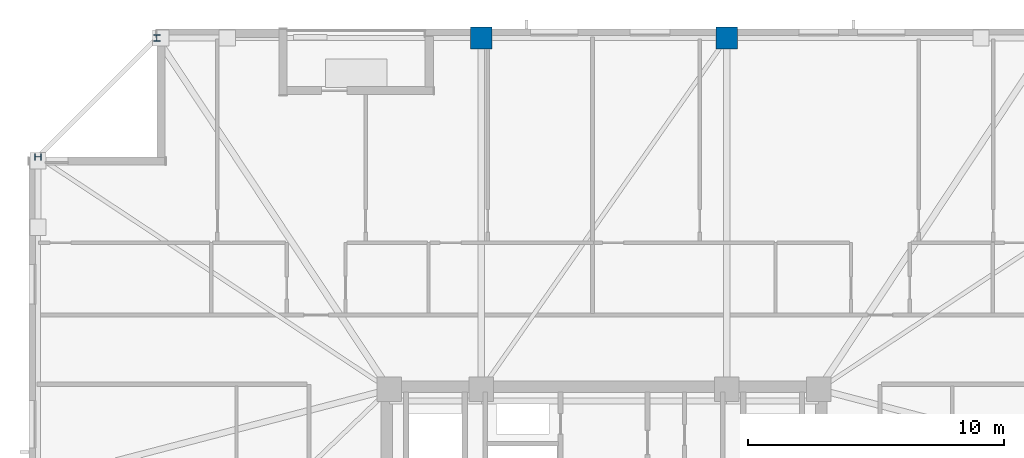
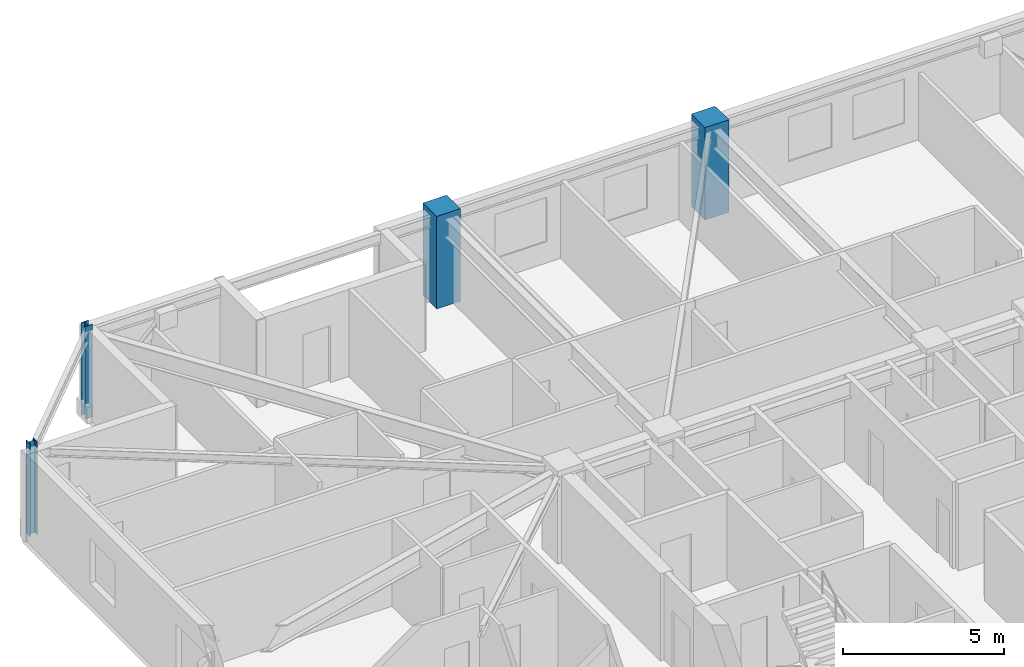
# One storey, part 4 of 17: 4 columns.
"""IFC4 building model written with IfcOpenShell, lengths in metres."""

from ifc_helpers import new_model, si_unit, direction, frame, origin, origin_2d, place, context, subcontext, project, spatial, rectangle, i_section, extrude, material, material_profile, profile_set, type_object, element, save


model = new_model("IFC4")

# Units and contexts
model_context = context("Model", 3, precision=1e-05, world=origin(), true_north=direction((0.0, 1.0)))
body_context = subcontext(model_context, "Body", "Model", "MODEL_VIEW")
ifc_project = project(units=[si_unit("LENGTHUNIT", "METRE"), si_unit("AREAUNIT", "SQUARE_METRE"), si_unit("VOLUMEUNIT", "CUBIC_METRE"), si_unit("PLANEANGLEUNIT", "RADIAN"), si_unit("MASSUNIT", "GRAM", prefix="KILO")], contexts=[model_context])

# Site, building, storey
site_placement = place(None, origin())
site = spatial("IfcSite", under=ifc_project, at=site_placement, CompositionType="ELEMENT")
building_placement = place(site_placement, origin())
building = spatial("IfcBuilding", under=site, at=building_placement, Name="Cairnveth Concourse Tower", CompositionType="ELEMENT")
storey_placement = place(building_placement, frame((0.0, 0.0, 216.5)))
storey = spatial("IfcBuildingStorey", under=building, at=storey_placement, Name="L59", CompositionType="ELEMENT", Elevation=216.5)

# Columns
ifc_material_1 = material(Name="Concrete N65 (65 MPa)", Category="concrete")
ifc_material_profile_1 = material_profile(ifc_material_1, rectangle(XDim=0.85009765625, YDim=0.85009765625, at=origin_2d()), Name="RC-COL-850x850")
ifc_profile_set_1 = profile_set([ifc_material_profile_1], Name="Concrete N65 (65 MPa)")
column_type_1 = type_object("IfcColumnType", Name="PERIMETER PIER COLUMN 850X850", PredefinedType="COLUMN", material=ifc_profile_set_1)
for number, where, z_axis, x_axis, name in (
    (1, (56.800048828125, 61.14990234375, 0.0), (0.0, 0.0, 1.0), (1.0, 0.0, 0.0), "Column P-N2 L59"),
    (2, (47.199951171875, 61.14990234375, 0.0), (0.0, 0.0, 1.0), (1.0, 0.0, 0.0), "Column P-N3 L59"),
):
    element("IfcColumn", number, at=place(storey_placement, frame(where, z_axis=z_axis, x_axis=x_axis)), inside=storey, type_object=column_type_1, Name=name, PredefinedType="COLUMN", context=body_context, shape_type="SweptSolid", body=[
        extrude(rectangle(XDim=0.85009765625, YDim=0.85009765625, at=origin_2d()), origin(), (0.0, 0.0, 1.0), 3.5),
    ])
ifc_material_2 = material(Name="Steel Grade 350", Category="steel")
ifc_material_profile_2 = material_profile(ifc_material_2, i_section(OverallWidth=0.256103515625, OverallDepth=0.260009765625, WebThickness=0.010498046875, FlangeThickness=0.017333984375, FilletRadius=0.012939453125, at=origin_2d()), Name="250UC89.5")
ifc_profile_set_2 = profile_set([ifc_material_profile_2], Name="Steel Grade 350")
column_type_2 = type_object("IfcColumnType", Name="UNIVERSAL STEEL COLUMN 250UC89.5", PredefinedType="COLUMN", material=ifc_profile_set_2)
for number, where, z_axis, x_axis, name in (
    (3, (34.5, 61.14990234375, 0.0), (0.0, 0.0, 1.0), (1.0, 0.0, 0.0), "Column P-N4 L59"),
    (4, (29.85009765625, 56.5, 0.0), (0.0, 0.0, 1.0), (0.0, 1.0, 0.0), "Column P-W1 L59"),
):
    element("IfcColumn", number, at=place(storey_placement, frame(where, z_axis=z_axis, x_axis=x_axis)), inside=storey, type_object=column_type_2, Name=name, PredefinedType="COLUMN", context=body_context, shape_type="SweptSolid", body=[
        extrude(i_section(OverallWidth=0.256103515625, OverallDepth=0.260009765625, WebThickness=0.010498046875, FlangeThickness=0.017333984375, FilletRadius=0.012939453125, at=origin_2d()), origin(), (0.0, 0.0, 1.0), 3.5),
    ])

save(model, "model.ifc")
